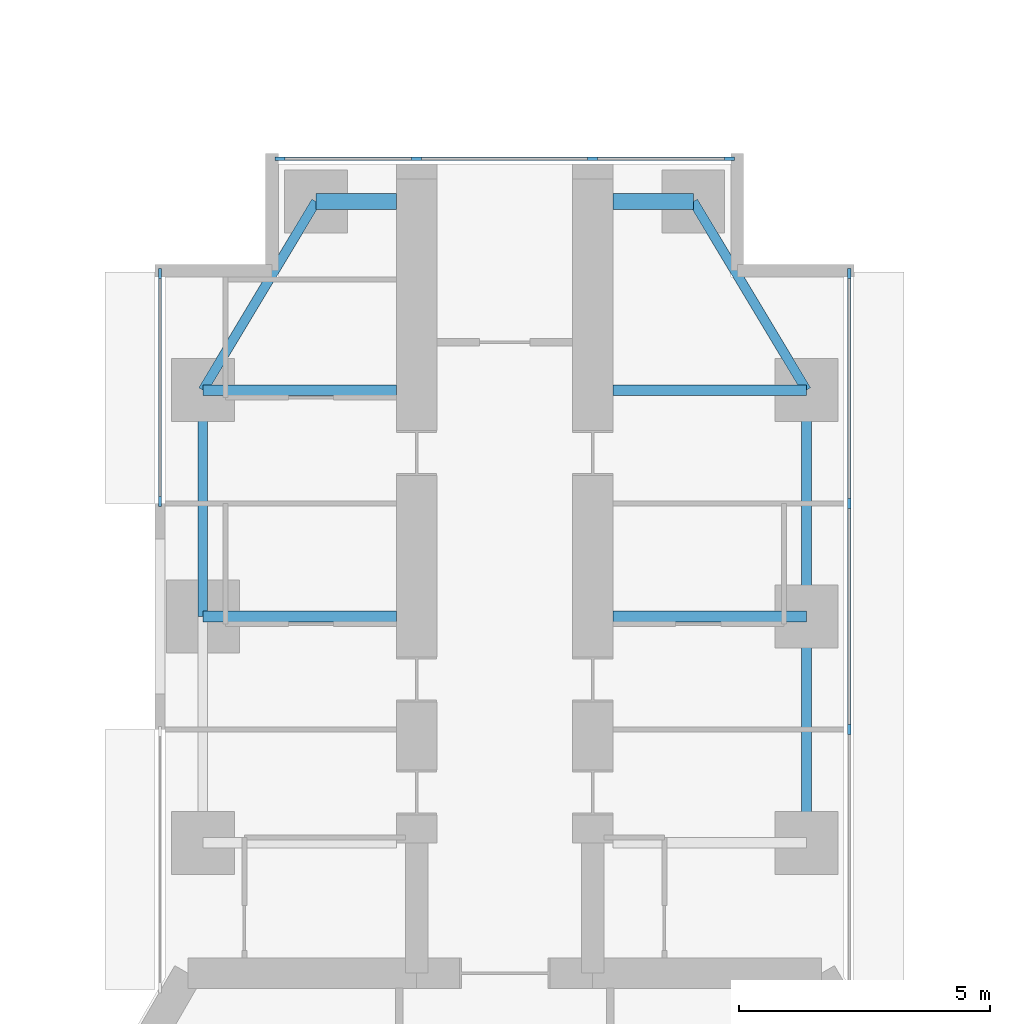
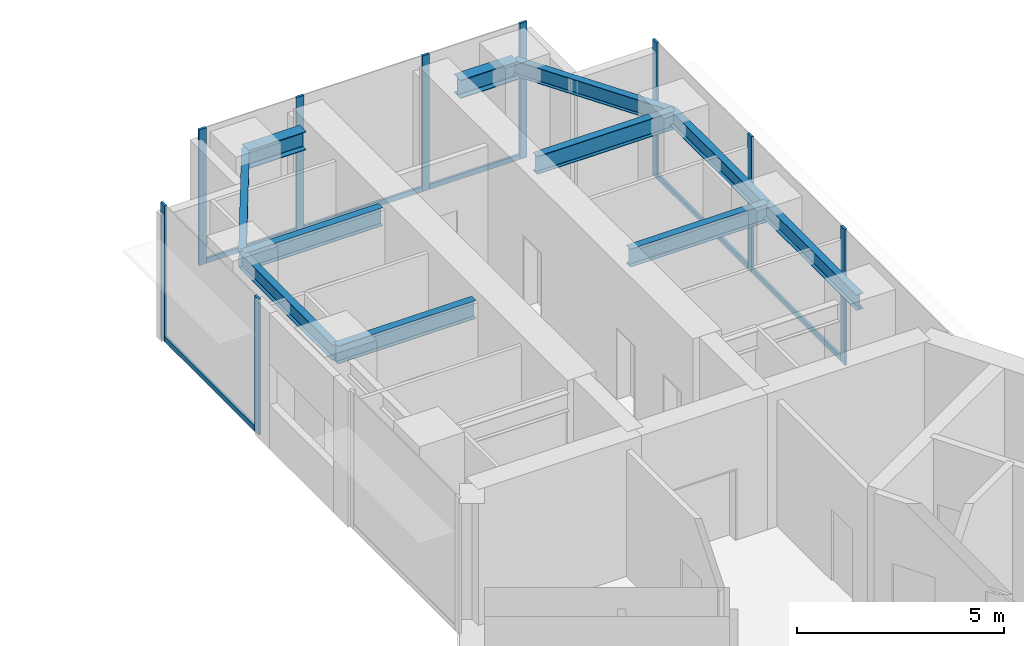
# One storey, part 12 of 23: 15 members, 11 beams, 3 elements without a shape of their own.
"""IFC4 building model written with IfcOpenShell, lengths in metres."""

from ifc_helpers import new_model, si_unit, direction, frame, origin, origin_2d, place, context, subcontext, project, spatial, rectangle, i_section, extrude, material, material_profile, profile_set, type_object, element, aggregate, save


model = new_model("IFC4")

# Units and contexts
model_context = context("Model", 3, precision=1e-05, world=origin(), true_north=direction((0.0, 1.0)))
body_context = subcontext(model_context, "Body", "Model", "MODEL_VIEW")
ifc_project = project(units=[si_unit("LENGTHUNIT", "METRE"), si_unit("AREAUNIT", "SQUARE_METRE"), si_unit("VOLUMEUNIT", "CUBIC_METRE"), si_unit("PLANEANGLEUNIT", "RADIAN"), si_unit("MASSUNIT", "GRAM", prefix="KILO")], contexts=[model_context])

# Site, building, storey
site_placement = place(None, origin())
site = spatial("IfcSite", under=ifc_project, at=site_placement, CompositionType="ELEMENT")
building_placement = place(site_placement, origin())
building = spatial("IfcBuilding", under=site, at=building_placement, Name="Upepo Twin Towers", CompositionType="ELEMENT")
storey_placement = place(building_placement, frame((0.0, 0.0, 161.5)))
storey = spatial("IfcBuildingStorey", under=building, at=storey_placement, Name="L39", CompositionType="ELEMENT", Elevation=161.5)

# Beams
ifc_material_1 = material(Name="Steel S355", Category="steel")
ifc_material_profile_1 = material_profile(ifc_material_1, i_section(OverallWidth=0.1904296875, OverallDepth=0.45703125, WebThickness=0.009033203125, FlangeThickness=0.014404296875, FilletRadius=0.01025390625, at=origin_2d()), Name="UB 457x191x74")
ifc_profile_set_1 = profile_set([ifc_material_profile_1], Name="Steel S355")
beam_type_1 = type_object("IfcBeamType", Name="Beam UB 457x191x74", PredefinedType="BEAM", material=ifc_profile_set_1)
beam_1_placement = place(storey_placement, frame((52.5, 0.0, 3.471435546875), z_axis=(0.0, 1.0, 0.0), x_axis=(-1.0, 0.0, 0.0)))
element("IfcBeam", 1, at=beam_1_placement, inside=storey, type_object=beam_type_1, Name="T2 edge beam AL 18.0-22.5", PredefinedType="BEAM", context=body_context, shape_type="SweptSolid", body=[
    extrude(i_section(OverallWidth=0.1904296875, OverallDepth=0.45703125, WebThickness=0.009033203125, FlangeThickness=0.014404296875, FilletRadius=0.01025390625, at=origin_2d()), origin(), (0.0, 0.0, 1.0), 4.5),
])
beam_2_placement = place(storey_placement, frame((52.5, 4.5, 3.471435546875), z_axis=(0.514495755428, 0.857492925713, 0.0), x_axis=(-0.857492925713, 0.514495755428, 0.0)))
element("IfcBeam", 2, at=beam_2_placement, inside=storey, type_object=beam_type_1, Name="T2 nose edge beam AL", PredefinedType="BEAM", context=body_context, shape_type="SweptSolid", body=[
    extrude(i_section(OverallWidth=0.1904296875, OverallDepth=0.45703125, WebThickness=0.009033203125, FlangeThickness=0.014404296875, FilletRadius=0.01025390625, at=origin_2d()), origin(), (0.0, 0.0, 1.0), 4.373291015625),
])
for number, where, z_axis, x_axis, name in (
    (3, (64.5, -4.5, 3.471435546875), (0.0, 1.0, 0.0), (-1.0, 0.0, 0.0), "T2 edge beam AR 13.5-18.0"),
    (4, (64.5, 0.0, 3.471435546875), (0.0, 1.0, 0.0), (-1.0, 0.0, 0.0), "T2 edge beam AR 18.0-22.5"),
):
    element("IfcBeam", number, at=place(storey_placement, frame(where, z_axis=z_axis, x_axis=x_axis)), inside=storey, type_object=beam_type_1, Name=name, PredefinedType="BEAM", context=body_context, shape_type="SweptSolid", body=[
        extrude(i_section(OverallWidth=0.1904296875, OverallDepth=0.45703125, WebThickness=0.009033203125, FlangeThickness=0.014404296875, FilletRadius=0.01025390625, at=origin_2d()), origin(), (0.0, 0.0, 1.0), 4.5),
    ])
beam_3_placement = place(storey_placement, frame((64.5, 4.5, 3.471435546875), z_axis=(-0.514495755428, 0.857492925713, 0.0), x_axis=(-0.857492925713, -0.514495755428, 0.0)))
element("IfcBeam", 5, at=beam_3_placement, inside=storey, type_object=beam_type_1, Name="T2 nose edge beam AR", PredefinedType="BEAM", context=body_context, shape_type="SweptSolid", body=[
    extrude(i_section(OverallWidth=0.1904296875, OverallDepth=0.45703125, WebThickness=0.009033203125, FlangeThickness=0.014404296875, FilletRadius=0.01025390625, at=origin_2d()), origin(), (0.0, 0.0, 1.0), 4.373291015625),
])
ifc_material_2 = material(Name="Steel S355", Category="steel")
ifc_material_profile_2 = material_profile(ifc_material_2, i_section(OverallWidth=0.209228515625, OverallDepth=0.533203125, WebThickness=0.010009765625, FlangeThickness=0.015625, FilletRadius=0.0126953125, at=origin_2d()), Name="UB 533x210x92")
ifc_profile_set_2 = profile_set([ifc_material_profile_2], Name="Steel S355")
beam_type_2 = type_object("IfcBeamType", Name="Beam UB 533x210x92", PredefinedType="BEAM", material=ifc_profile_set_2)
for number, where, z_axis, x_axis, name in (
    (6, (52.5, 0.0, 3.433349609375), (1.0, 0.0, 0.0), (0.0, 1.0, 0.0), "T2 girder AL at 18.0"),
    (7, (52.5, 4.5, 3.433349609375), (1.0, 0.0, 0.0), (0.0, 1.0, 0.0), "T2 girder AL at 22.5"),
    (8, (64.5, 0.0, 3.433349609375), (-1.0, 0.0, 0.0), (0.0, -1.0, 0.0), "T2 girder AR at 18.0"),
    (9, (64.5, 4.5, 3.433349609375), (-1.0, 0.0, 0.0), (0.0, -1.0, 0.0), "T2 girder AR at 22.5"),
):
    element("IfcBeam", number, at=place(storey_placement, frame(where, z_axis=z_axis, x_axis=x_axis)), inside=storey, type_object=beam_type_2, Name=name, PredefinedType="BEAM", context=body_context, shape_type="SweptSolid", body=[
        extrude(i_section(OverallWidth=0.209228515625, OverallDepth=0.533203125, WebThickness=0.010009765625, FlangeThickness=0.015625, FilletRadius=0.0126953125, at=origin_2d()), origin(), (0.0, 0.0, 1.0), 3.85009765625),
    ])
ifc_material_3 = material(Name="Steel S355", Category="steel")
ifc_material_profile_3 = material_profile(ifc_material_3, i_section(OverallWidth=0.31201171875, OverallDepth=0.54345703125, WebThickness=0.0126953125, FlangeThickness=0.020263671875, FilletRadius=0.0126953125, at=origin_2d()), Name="UB 533x312x150")
ifc_profile_set_3 = profile_set([ifc_material_profile_3], Name="Steel S355")
beam_type_3 = type_object("IfcBeamType", Name="Beam UB 533x312x150", PredefinedType="BEAM", material=ifc_profile_set_3)
for number, where, z_axis, x_axis, name in (
    (10, (54.75, 8.25, 3.42822265625), (1.0, 0.0, 0.0), (0.0, 1.0, 0.0), "T2 nose beam AL"),
    (11, (62.25, 8.25, 3.42822265625), (-1.0, 0.0, 0.0), (0.0, -1.0, 0.0), "T2 nose beam AR"),
):
    element("IfcBeam", number, at=place(storey_placement, frame(where, z_axis=z_axis, x_axis=x_axis)), inside=storey, type_object=beam_type_3, Name=name, PredefinedType="BEAM", context=body_context, shape_type="SweptSolid", body=[
        extrude(i_section(OverallWidth=0.31201171875, OverallDepth=0.54345703125, WebThickness=0.0126953125, FlangeThickness=0.020263671875, FilletRadius=0.0126953125, at=origin_2d()), origin(), (0.0, 0.0, 1.0), 1.60009765625),
    ])

# Curtain wall, members
ifc_material_4 = material(Name="Aluminium and fritted glass", Category="aluminium")
curtain_wall_type = type_object("IfcCurtainWallType", Name="Tower curtain wall TW2, fritted glass", PredefinedType="NOTDEFINED", material=ifc_material_4)
curtain_wall_1_placement = place(storey_placement, origin())
curtain_wall_1 = element("IfcCurtainWall", 12, at=curtain_wall_1_placement, inside=storey, type_object=curtain_wall_type, Name="T2 L39 wing A flank L curtain wall 2", PredefinedType="NOTDEFINED")
ifc_material_5 = material(Name="Aluminium mullion", Category="aluminium")
ifc_material_profile_4 = material_profile(ifc_material_5, rectangle(XDim=0.06494140625, YDim=0.199951171875, at=origin_2d()), Name="MULLION 65x200")
ifc_profile_set_4 = profile_set([ifc_material_profile_4], Name="Aluminium mullion")
member_type_1 = type_object("IfcMemberType", Name="Mullion 65x200 TW2", PredefinedType="MULLION", material=ifc_profile_set_4)
member_1_placement = place(storey_placement, frame((51.64990234375, 2.282470703125, 0.0), z_axis=(0.0, 0.0, 1.0), x_axis=(-1.0, 0.0, 0.0)))
member_1 = element("IfcMember", 13, at=member_1_placement, type_object=member_type_1, Name="T2 L39 wing A flank L curtain wall 2 mullion 1", PredefinedType="MULLION", context=body_context, shape_type="SweptSolid", body=[
    extrude(rectangle(XDim=0.06494140625, YDim=0.199951171875, at=origin_2d()), origin(), (0.0, 0.0, 1.0), 4.0),
])
member_2_placement = place(storey_placement, frame((51.64990234375, 6.8173828125, 0.0), z_axis=(0.0, 0.0, 1.0), x_axis=(-1.0, 0.0, 0.0)))
member_2 = element("IfcMember", 14, at=member_2_placement, type_object=member_type_1, Name="T2 L39 wing A flank L curtain wall 2 mullion 2", PredefinedType="MULLION", context=body_context, shape_type="SweptSolid", body=[
    extrude(rectangle(XDim=0.06494140625, YDim=0.199951171875, at=origin_2d()), origin(), (0.0, 0.0, 1.0), 4.0),
])

curtain_wall_2_placement = place(storey_placement, origin())
curtain_wall_2 = element("IfcCurtainWall", 15, at=curtain_wall_2_placement, inside=storey, type_object=curtain_wall_type, Name="T2 L39 wing A flank R curtain wall", PredefinedType="NOTDEFINED")
member_3_placement = place(storey_placement, frame((65.35009765625, 6.8173828125, 0.0), z_axis=(0.0, 0.0, 1.0), x_axis=(1.0, 0.0, 0.0)))
member_3 = element("IfcMember", 16, at=member_3_placement, type_object=member_type_1, Name="T2 L39 wing A flank R curtain wall mullion 1", PredefinedType="MULLION", context=body_context, shape_type="SweptSolid", body=[
    extrude(rectangle(XDim=0.06494140625, YDim=0.199951171875, at=origin_2d()), origin(), (0.0, 0.0, 1.0), 4.0),
])
member_4_placement = place(storey_placement, frame((65.35009765625, 2.25, 0.0), z_axis=(0.0, 0.0, 1.0), x_axis=(1.0, 0.0, 0.0)))
member_4 = element("IfcMember", 17, at=member_4_placement, type_object=member_type_1, Name="T2 L39 wing A flank R curtain wall mullion 2", PredefinedType="MULLION", context=body_context, shape_type="SweptSolid", body=[
    extrude(rectangle(XDim=0.06494140625, YDim=0.199951171875, at=origin_2d()), origin(), (0.0, 0.0, 1.0), 4.0),
])
member_5_placement = place(storey_placement, frame((65.35009765625, -2.25, 0.0), z_axis=(0.0, 0.0, 1.0), x_axis=(1.0, 0.0, 0.0)))
member_5 = element("IfcMember", 18, at=member_5_placement, type_object=member_type_1, Name="T2 L39 wing A flank R curtain wall mullion 3", PredefinedType="MULLION", context=body_context, shape_type="SweptSolid", body=[
    extrude(rectangle(XDim=0.06494140625, YDim=0.199951171875, at=origin_2d()), origin(), (0.0, 0.0, 1.0), 4.0),
])

curtain_wall_3_placement = place(storey_placement, origin())
curtain_wall_3 = element("IfcCurtainWall", 19, at=curtain_wall_3_placement, inside=storey, type_object=curtain_wall_type, Name="T2 L39 wing A nose curtain wall", PredefinedType="NOTDEFINED")
member_6_placement = place(storey_placement, frame((62.967529296875, 9.10009765625, 0.0), z_axis=(0.0, 0.0, 1.0), x_axis=(0.0, -1.0, 0.0)))
member_6 = element("IfcMember", 20, at=member_6_placement, type_object=member_type_1, Name="T2 L39 wing A nose curtain wall mullion 1", PredefinedType="MULLION", context=body_context, shape_type="SweptSolid", body=[
    extrude(rectangle(XDim=0.06494140625, YDim=0.199951171875, at=origin_2d()), origin(), (0.0, 0.0, 1.0), 4.0),
])
member_7_placement = place(storey_placement, frame((60.25, 9.10009765625, 0.0), z_axis=(0.0, 0.0, 1.0), x_axis=(0.0, -1.0, 0.0)))
member_7 = element("IfcMember", 21, at=member_7_placement, type_object=member_type_1, Name="T2 L39 wing A nose curtain wall mullion 2", PredefinedType="MULLION", context=body_context, shape_type="SweptSolid", body=[
    extrude(rectangle(XDim=0.06494140625, YDim=0.199951171875, at=origin_2d()), origin(), (0.0, 0.0, 1.0), 4.0),
])
member_8_placement = place(storey_placement, frame((56.75, 9.10009765625, 0.0), z_axis=(0.0, 0.0, 1.0), x_axis=(0.0, -1.0, 0.0)))
member_8 = element("IfcMember", 22, at=member_8_placement, type_object=member_type_1, Name="T2 L39 wing A nose curtain wall mullion 3", PredefinedType="MULLION", context=body_context, shape_type="SweptSolid", body=[
    extrude(rectangle(XDim=0.06494140625, YDim=0.199951171875, at=origin_2d()), origin(), (0.0, 0.0, 1.0), 4.0),
])
member_9_placement = place(storey_placement, frame((54.032470703125, 9.10009765625, 0.0), z_axis=(0.0, 0.0, 1.0), x_axis=(0.0, -1.0, 0.0)))
member_9 = element("IfcMember", 23, at=member_9_placement, type_object=member_type_1, Name="T2 L39 wing A nose curtain wall mullion 4", PredefinedType="MULLION", context=body_context, shape_type="SweptSolid", body=[
    extrude(rectangle(XDim=0.06494140625, YDim=0.199951171875, at=origin_2d()), origin(), (0.0, 0.0, 1.0), 4.0),
])

# Member
ifc_material_6 = material(Name="Aluminium transom", Category="aluminium")
ifc_material_profile_5 = material_profile(ifc_material_6, rectangle(XDim=0.06494140625, YDim=0.14990234375, at=origin_2d()), Name="TRANSOM 65x150")
ifc_profile_set_5 = profile_set([ifc_material_profile_5], Name="Aluminium transom")
member_type_2 = type_object("IfcMemberType", Name="Transom 65x150 TW2", PredefinedType="USERDEFINED", material=ifc_profile_set_5)
member_10_placement = place(storey_placement, frame((51.64990234375, 2.31494140625, 0.074951171875), z_axis=(0.0, 1.0, 0.0), x_axis=(-1.0, 0.0, 0.0)))
member_10 = element("IfcMember", 24, at=member_10_placement, type_object=member_type_2, Name="T2 L39 wing A flank L curtain wall 2 transom 1", ObjectType="TRANSOM", PredefinedType="USERDEFINED", context=body_context, shape_type="SweptSolid", body=[
    extrude(rectangle(XDim=0.06494140625, YDim=0.14990234375, at=origin_2d()), origin(), (0.0, 0.0, 1.0), 4.469970703125),
])

aggregate(curtain_wall_1, [member_1, member_2, member_10])

member_11_placement = place(storey_placement, frame((65.35009765625, 6.784912109375, 0.074951171875), z_axis=(0.0, -1.0, 0.0), x_axis=(1.0, 0.0, 0.0)))
member_11 = element("IfcMember", 25, at=member_11_placement, type_object=member_type_2, Name="T2 L39 wing A flank R curtain wall transom 1", ObjectType="TRANSOM", PredefinedType="USERDEFINED", context=body_context, shape_type="SweptSolid", body=[
    extrude(rectangle(XDim=0.06494140625, YDim=0.14990234375, at=origin_2d()), origin(), (0.0, 0.0, 1.0), 4.50244140625),
])

member_12_placement = place(storey_placement, frame((65.35009765625, 2.217529296875, 0.074951171875), z_axis=(0.0, -1.0, 0.0), x_axis=(1.0, 0.0, 0.0)))
member_12 = element("IfcMember", 26, at=member_12_placement, type_object=member_type_2, Name="T2 L39 wing A flank R curtain wall transom 2", ObjectType="TRANSOM", PredefinedType="USERDEFINED", context=body_context, shape_type="SweptSolid", body=[
    extrude(rectangle(XDim=0.06494140625, YDim=0.14990234375, at=origin_2d()), origin(), (0.0, 0.0, 1.0), 4.43505859375),
])

aggregate(curtain_wall_2, [member_3, member_4, member_5, member_11, member_12])

member_13_placement = place(storey_placement, frame((62.93505859375, 9.10009765625, 0.074951171875), z_axis=(-1.0, 0.0, 0.0), x_axis=(0.0, -1.0, 0.0)))
member_13 = element("IfcMember", 27, at=member_13_placement, type_object=member_type_2, Name="T2 L39 wing A nose curtain wall transom 1", ObjectType="TRANSOM", PredefinedType="USERDEFINED", context=body_context, shape_type="SweptSolid", body=[
    extrude(rectangle(XDim=0.06494140625, YDim=0.14990234375, at=origin_2d()), origin(), (0.0, 0.0, 1.0), 2.652587890625),
])

member_14_placement = place(storey_placement, frame((60.217529296875, 9.10009765625, 0.074951171875), z_axis=(-1.0, 0.0, 0.0), x_axis=(0.0, -1.0, 0.0)))
member_14 = element("IfcMember", 28, at=member_14_placement, type_object=member_type_2, Name="T2 L39 wing A nose curtain wall transom 2", ObjectType="TRANSOM", PredefinedType="USERDEFINED", context=body_context, shape_type="SweptSolid", body=[
    extrude(rectangle(XDim=0.06494140625, YDim=0.14990234375, at=origin_2d()), origin(), (0.0, 0.0, 1.0), 3.43505859375),
])

member_15_placement = place(storey_placement, frame((56.717529296875, 9.10009765625, 0.074951171875), z_axis=(-1.0, 0.0, 0.0), x_axis=(0.0, -1.0, 0.0)))
member_15 = element("IfcMember", 29, at=member_15_placement, type_object=member_type_2, Name="T2 L39 wing A nose curtain wall transom 3", ObjectType="TRANSOM", PredefinedType="USERDEFINED", context=body_context, shape_type="SweptSolid", body=[
    extrude(rectangle(XDim=0.06494140625, YDim=0.14990234375, at=origin_2d()), origin(), (0.0, 0.0, 1.0), 2.652587890625),
])

aggregate(curtain_wall_3, [member_6, member_7, member_8, member_9, member_13, member_14, member_15])

save(model, "model.ifc")
